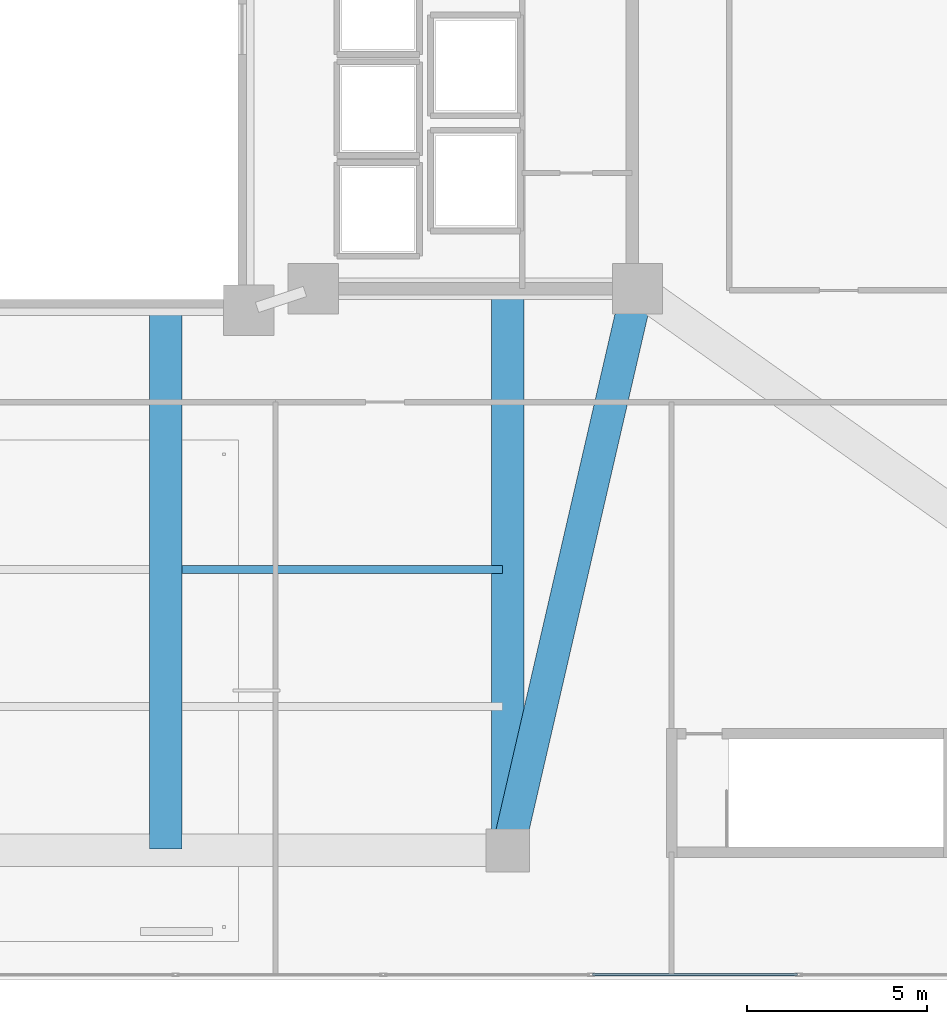
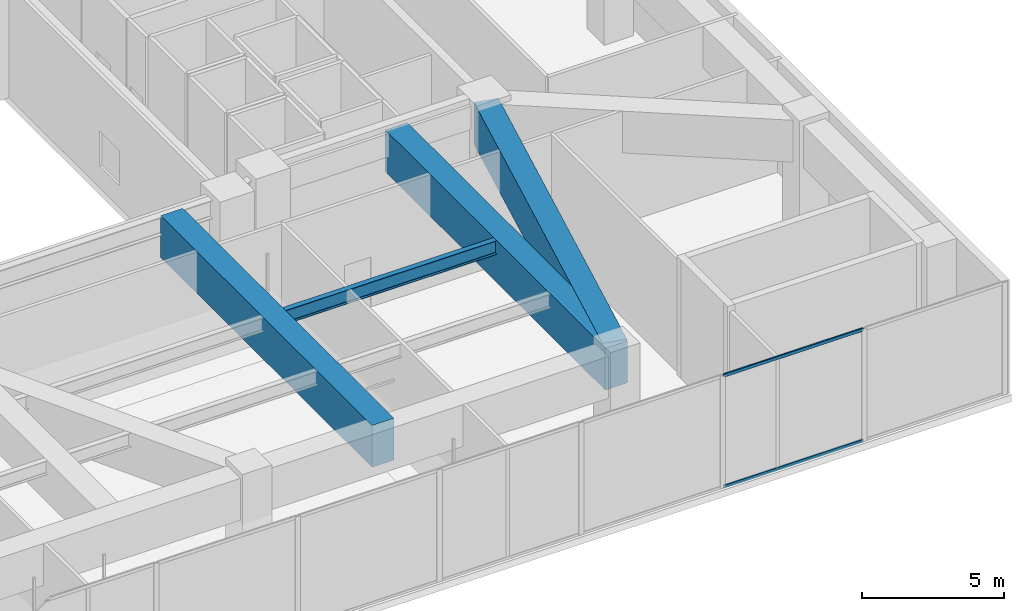
# One storey, part 7 of 21: 4 beams, 2 members, 1 element without a shape of its own.
"""IFC4 building model written with IfcOpenShell, lengths in metres."""

import ifcopenshell
import ifcopenshell.guid

model = None  # the IFC model being written
_history = None  # IfcOwnerHistory: only IFC2X3 demands one
_inside = {}  # id of a spatial element -> (the spatial element, [elements in it])
_under = {}  # id of a project, library or spatial element -> (it, [spatial elements below it])
_declared = {}  # id of a project -> (the project, [libraries it declares])
_typed = {}  # id of a type object -> (the type object, [elements of that type])
_made_of = {}  # id of a material, layer set ... -> (it, [elements and type objects made of it])


def new_model(schema):
    """Start an empty IFC model of exactly this schema.

    Asked for "IFC4X3", IfcOpenShell would pick the latest addendum, in which some entities
    have other attributes; the version numbers below select the first issue.
    IFC2X3 requires an IfcOwnerHistory on every rooted entity: one is made here for all.
    """
    global model, _history
    if schema == "IFC4X3":
        model = ifcopenshell.file(schema_version=(4, 3, 0, 0))
    else:
        model = ifcopenshell.file(schema=schema)
    _inside.clear()
    _under.clear()
    _declared.clear()
    _typed.clear()
    _made_of.clear()
    _history = None
    if model.schema == "IFC2X3":
        org = make("IfcOrganization", Name="unknown")
        user = make(
            "IfcPersonAndOrganization",
            ThePerson=make("IfcPerson", FamilyName="unknown"),
            TheOrganization=org,
        )
        app = make(
            "IfcApplication",
            ApplicationDeveloper=org,
            Version="unknown",
            ApplicationFullName="unknown",
            ApplicationIdentifier="unknown",
        )
        _history = make(
            "IfcOwnerHistory",
            OwningUser=user,
            OwningApplication=app,
            ChangeAction="ADDED",
            CreationDate=0,
        )
    return model


def make(cls, **values):
    """One entity of the class cls with the attributes given. An attribute that is None is left unset."""
    return model.create_entity(
        cls, **{name: value for name, value in values.items() if value is not None}
    )


def rooted(cls, **values):
    """An entity with a GlobalId (a new one), such as an element, a storey or a relation."""
    return make(cls, GlobalId=ifcopenshell.guid.new(), OwnerHistory=_history, **values)


def si_unit(unit_type, name, prefix=None):
    """IfcSIUnit, for example si_unit("LENGTHUNIT", "METRE", prefix="MILLI")."""
    return make("IfcSIUnit", UnitType=unit_type, Prefix=prefix, Name=name)


def assignment(units):
    """IfcUnitAssignment: the units of a project."""
    return None if units is None else make("IfcUnitAssignment", Units=units)


def point(xyz):
    """IfcCartesianPoint."""
    return None if xyz is None else make("IfcCartesianPoint", Coordinates=xyz)


def direction(xyz):
    """IfcDirection."""
    return None if xyz is None else make("IfcDirection", DirectionRatios=xyz)


def frame(location, z_axis=None, x_axis=None):
    """IfcAxis2Placement3D, a coordinate frame: its origin and axes. An axis left out is left unset."""
    return make(
        "IfcAxis2Placement3D",
        Location=point(location),
        Axis=direction(z_axis),
        RefDirection=direction(x_axis),
    )


def frame_2d(location, x_axis=None):
    """IfcAxis2Placement2D, a coordinate frame in the plane: its origin and x axis."""
    return make(
        "IfcAxis2Placement2D", Location=point(location), RefDirection=direction(x_axis)
    )


def origin():
    """The frame at (0, 0, 0) with its axes left unset."""
    return frame((0.0, 0.0, 0.0))


def origin_2d():
    """The frame at (0, 0) in the plane with its x axis left unset."""
    return frame_2d((0.0, 0.0))


def place(relative_to, where):
    """IfcLocalPlacement: puts the frame where relative to a parent placement (None: the world)."""
    return make(
        "IfcLocalPlacement", PlacementRelTo=relative_to, RelativePlacement=where
    )


def context(
    kind, dimensions, precision=None, world=None, true_north=None, identifier=None
):
    """IfcGeometricRepresentationContext, for example the 3D "Model" context."""
    return make(
        "IfcGeometricRepresentationContext",
        ContextIdentifier=identifier,
        ContextType=kind,
        CoordinateSpaceDimension=dimensions,
        Precision=precision,
        WorldCoordinateSystem=world,
        TrueNorth=true_north,
    )


def subcontext(parent, identifier, kind, view, scale=None):
    """IfcGeometricRepresentationSubContext, for example "Body" below "Model"."""
    return make(
        "IfcGeometricRepresentationSubContext",
        ContextIdentifier=identifier,
        ContextType=kind,
        ParentContext=parent,
        TargetScale=scale,
        TargetView=view,
    )


def project(units=None, contexts=None):
    """IfcProject with its units and contexts."""
    return rooted(
        "IfcProject",
        Name="project",
        RepresentationContexts=contexts,
        UnitsInContext=assignment(units),
    )


def spatial(cls, under=None, at=None, **own):
    """A site, building, storey or space (cls), placed at a placement, below another one or the project."""
    s = rooted(cls, ObjectPlacement=at, **own)
    if under is not None:
        _under.setdefault(under.id(), (under, []))[1].append(s)
    return s


def profile(cls, at=None, kind="AREA", **sizes):
    """A parametric profile (cls). Its sizes go by their IFC names, for example OverallWidth=200.0."""
    return make(cls, ProfileType=kind, Position=at, **sizes)


def rectangle(**sizes):
    """IfcRectangleProfileDef."""
    return profile("IfcRectangleProfileDef", **sizes)


def hollow_rectangle(**sizes):
    """IfcRectangleHollowProfileDef."""
    return profile("IfcRectangleHollowProfileDef", **sizes)


def i_section(**sizes):
    """IfcIShapeProfileDef."""
    return profile("IfcIShapeProfileDef", **sizes)


def extrude(swept, where, along, depth):
    """IfcExtrudedAreaSolid: the profile swept, set in the frame where, extruded along a direction by depth."""
    return make(
        "IfcExtrudedAreaSolid",
        SweptArea=swept,
        Position=where,
        ExtrudedDirection=direction(along),
        Depth=depth,
    )


def shape(context_of_items, identifier, shape_type, items):
    """IfcShapeRepresentation: the items that make up one representation, for example the "Body"."""
    return make(
        "IfcShapeRepresentation",
        ContextOfItems=context_of_items,
        RepresentationIdentifier=identifier,
        RepresentationType=shape_type,
        Items=items,
    )


def material(Name=None, Category=None):
    """IfcMaterial."""
    return make("IfcMaterial", Name=Name, Category=Category)


def layer(
    of_material, thickness, ventilated=None, Name=None, Category=None, Priority=None
):
    """IfcMaterialLayer: one layer of a wall or slab, of a material (None: an air gap)."""
    return make(
        "IfcMaterialLayer",
        Material=of_material,
        LayerThickness=thickness,
        IsVentilated=ventilated,
        Name=Name,
        Category=Category,
        Priority=Priority,
    )


def layer_set(layers, Name=None):
    """IfcMaterialLayerSet."""
    return make("IfcMaterialLayerSet", MaterialLayers=layers, LayerSetName=Name)


def material_profile(
    of_material, cross_section, Name=None, Category=None, Priority=None
):
    """IfcMaterialProfile: a cross section and its material."""
    return make(
        "IfcMaterialProfile",
        Name=Name,
        Material=of_material,
        Profile=cross_section,
        Priority=Priority,
        Category=Category,
    )


def profile_set(profiles, Name=None, composite=None):
    """IfcMaterialProfileSet."""
    return make(
        "IfcMaterialProfileSet",
        Name=Name,
        MaterialProfiles=profiles,
        CompositeProfile=composite,
    )


def made_of(thing, what):
    """Note that an element or type object is made of a material, layer set ...; save() writes the relation."""
    if what is not None:
        _made_of.setdefault(what.id(), (what, []))[1].append(thing)
    return thing


def type_object(cls, material=None, **own):
    """A type object (cls), such as IfcWallType, which elements share."""
    return made_of(rooted(cls, **own), material)


def element(
    cls,
    number,
    at=None,
    inside=None,
    cuts=None,
    type_object=None,
    material=None,
    context=None,
    identifier="Body",
    shape_type=None,
    held_by="IfcProductDefinitionShape",
    body=None,
    shapes=None,
    **own,
):
    """One element of the class cls, such as IfcWall. Its Tag is "e" and its number.

    at: its placement. inside: the storey or other place that contains it. cuts: it is an
    opening in that element (IfcRelVoidsElement). A single representation is given by context,
    identifier, shape_type and body (its items); several are given by shapes. held_by: the class
    of the entity that holds the representations. save() writes the other relations.
    """
    e = rooted(cls, Tag="e%d" % number, ObjectPlacement=at, **own)
    if body is not None:
        shapes = [shape(context, identifier, shape_type, body)]
    if shapes is not None:
        e.Representation = make(held_by, Representations=shapes)
    if inside is not None:
        _inside.setdefault(inside.id(), (inside, []))[1].append(e)
    if cuts is not None:
        rooted(
            "IfcRelVoidsElement", RelatingBuildingElement=cuts, RelatedOpeningElement=e
        )
    if type_object is not None:
        _typed.setdefault(type_object.id(), (type_object, []))[1].append(e)
    return made_of(e, material)


def aggregate(whole, parts):
    """IfcRelAggregates: a whole, such as a stair, and the parts it consists of."""
    return rooted("IfcRelAggregates", RelatingObject=whole, RelatedObjects=parts)


def save(model, path):
    """Write the relations noted so far, then the file.

    IfcRelAggregates (storeys below a building ...), IfcRelContainedInSpatialStructure (elements
    in a storey), IfcRelDefinesByType, IfcRelAssociatesMaterial and IfcRelDeclares: one each for
    every whole, place, type object, material and project.
    """
    for whole, parts in _under.values():
        aggregate(whole, parts)
    for where, things in _inside.values():
        rooted(
            "IfcRelContainedInSpatialStructure",
            RelatedElements=things,
            RelatingStructure=where,
        )
    for kind, things in _typed.values():
        rooted("IfcRelDefinesByType", RelatedObjects=things, RelatingType=kind)
    for what, things in _made_of.values():
        rooted("IfcRelAssociatesMaterial", RelatedObjects=things, RelatingMaterial=what)
    for by, libraries in _declared.values():
        rooted("IfcRelDeclares", RelatingContext=by, RelatedDefinitions=libraries)
    model.write(path)


model = new_model("IFC4")

# Units and contexts
model_context = context("Model", 3, precision=1e-05, world=origin(), true_north=direction((0.0, 1.0)))
body_context = subcontext(model_context, "Body", "Model", "MODEL_VIEW")
ifc_project = project(units=[si_unit("LENGTHUNIT", "METRE"), si_unit("AREAUNIT", "SQUARE_METRE"), si_unit("VOLUMEUNIT", "CUBIC_METRE"), si_unit("PLANEANGLEUNIT", "RADIAN"), si_unit("MASSUNIT", "GRAM", prefix="KILO")], contexts=[model_context])

# Site, building, storey
site_placement = place(None, origin())
site = spatial("IfcSite", under=ifc_project, at=site_placement, CompositionType="ELEMENT")
building_placement = place(site_placement, origin())
building = spatial("IfcBuilding", under=site, at=building_placement, Name="Tarnavaz Court Tower", CompositionType="ELEMENT")
storey_placement = place(building_placement, frame((0.0, 0.0, 18.89990234375)))
storey = spatial("IfcBuildingStorey", under=building, at=storey_placement, Name="L04", CompositionType="ELEMENT", Elevation=18.89990234375)

# Beams
ifc_material_1 = material(Name="Steel S355", Category="steel")
ifc_material_profile_1 = material_profile(ifc_material_1, i_section(OverallWidth=0.219970703125, OverallDepth=0.60009765625, WebThickness=0.011962890625, FlangeThickness=0.01904296875, FilletRadius=0.02392578125, at=origin_2d()), Name="IPE 600")
ifc_profile_set_1 = profile_set([ifc_material_profile_1], Name="Steel S355")
beam_type_1 = type_object("IfcBeamType", Name="BM-J-IPE600", PredefinedType="JOIST", material=ifc_profile_set_1)
beam_1_placement = place(storey_placement, frame((5.949951171875, -15.0, 4.550048828125), z_axis=(1.0, 0.0, 0.0), x_axis=(0.0, 1.0, 0.0)))
element("IfcBeam", 1, at=beam_1_placement, inside=storey, type_object=beam_type_1, Name="L04 Beam PJS-1-3", PredefinedType="JOIST", context=body_context, shape_type="SweptSolid", body=[
    extrude(i_section(OverallWidth=0.219970703125, OverallDepth=0.60009765625, WebThickness=0.011962890625, FlangeThickness=0.01904296875, FilletRadius=0.02392578125, at=origin_2d()), origin(), (0.0, 0.0, 1.0), 8.900146484375),
])
ifc_material_2 = material(Name="Concrete C50/60", Category="concrete")
ifc_material_profile_2 = material_profile(ifc_material_2, rectangle(XDim=0.89990234375, YDim=1.800048828125, at=origin_2d()), Name="RC 900X1800")
ifc_profile_set_2 = profile_set([ifc_material_profile_2], Name="Concrete C50/60")
beam_type_2 = type_object("IfcBeamType", Name="BM-TG1800", PredefinedType="USERDEFINED", material=ifc_profile_set_2)
beam_2_placement = place(storey_placement, frame((18.543701171875, -7.443603515625, 3.9501953125), z_axis=(-0.224858357084, -0.97439146099, 0.0), x_axis=(0.97439146099, -0.224858357084, 0.0)))
element("IfcBeam", 2, at=beam_2_placement, inside=storey, type_object=beam_type_2, Name="L04 Beam PM-CE-SO-PM-S3", ObjectType="GIRDER", PredefinedType="USERDEFINED", context=body_context, shape_type="SweptSolid", body=[
    extrude(rectangle(XDim=0.89990234375, YDim=1.800048828125, at=origin_2d()), origin(), (0.0, 0.0, 1.0), 15.510009765625),
])
beam_3_placement = place(storey_placement, frame((5.5, -7.840087890625, 3.9501953125), z_axis=(0.0, -1.0, 0.0), x_axis=(1.0, 0.0, 0.0)))
element("IfcBeam", 3, at=beam_3_placement, inside=storey, type_object=beam_type_2, Name="L04 Beam PM-NS-SCE", ObjectType="GIRDER", PredefinedType="USERDEFINED", context=body_context, shape_type="SweptSolid", body=[
    extrude(rectangle(XDim=0.89990234375, YDim=1.800048828125, at=origin_2d()), origin(), (0.0, 0.0, 1.0), 14.919921875),
])
beam_4_placement = place(storey_placement, frame((15.0, -7.239990234375, 3.9501953125), z_axis=(0.0, -1.0, 0.0), x_axis=(1.0, 0.0, 0.0)))
element("IfcBeam", 4, at=beam_4_placement, inside=storey, type_object=beam_type_2, Name="L04 Beam PM-NS-SE", ObjectType="GIRDER", PredefinedType="USERDEFINED", context=body_context, shape_type="SweptSolid", body=[
    extrude(rectangle(XDim=0.89990234375, YDim=1.800048828125, at=origin_2d()), origin(), (0.0, 0.0, 1.0), 15.52001953125),
])

# Curtain wall, members
ifc_material_3 = material(Name="Anodised Aluminium 6063-T6 and Solar Low-E Glazing", Category="aluminium")
ifc_layer = layer(ifc_material_3, 0.18994140625)
ifc_layer_set = layer_set([ifc_layer], Name="Anodised Aluminium 6063-T6 and Solar Low-E Glazing")
curtain_wall_type = type_object("IfcCurtainWallType", Name="CW-SYS-01", PredefinedType="NOTDEFINED", material=ifc_layer_set)
curtain_wall_placement = place(storey_placement, origin())
curtain_wall = element("IfcCurtainWall", 5, at=curtain_wall_placement, inside=storey, type_object=curtain_wall_type, Name="L04 Clinic South Curtain Wall 3", PredefinedType="NOTDEFINED")
ifc_material_4 = material(Name="Anodised Aluminium 6063-T6", Category="aluminium")
ifc_material_profile_3 = material_profile(ifc_material_4, hollow_rectangle(XDim=0.06494140625, YDim=0.139892578125, WallThickness=0.00390625, InnerFilletRadius=0.00390625, OuterFilletRadius=0.008056640625, at=origin_2d()), Name="ALU RHS 140X65X4")
ifc_profile_set_3 = profile_set([ifc_material_profile_3], Name="Anodised Aluminium 6063-T6")
member_type = type_object("IfcMemberType", Name="CW-TRN-140", PredefinedType="USERDEFINED", material=ifc_profile_set_3)
member_1_placement = place(storey_placement, frame((23.03759765625, -26.25, 0.03271484375), z_axis=(-1.0, 0.0, 0.0), x_axis=(0.0, -1.0, 0.0)))
member_1 = element("IfcMember", 6, at=member_1_placement, type_object=member_type, Name="CW transom 2.1", ObjectType="TRANSOM", PredefinedType="USERDEFINED", context=body_context, shape_type="SweptSolid", body=[
    extrude(hollow_rectangle(XDim=0.06494140625, YDim=0.139892578125, WallThickness=0.00390625, InnerFilletRadius=0.00390625, OuterFilletRadius=0.008056640625, at=origin_2d()), origin(), (0.0, 0.0, 1.0), 5.68505859375),
])
member_2_placement = place(storey_placement, frame((23.03759765625, -26.25, 4.817626953125), z_axis=(-1.0, 0.0, 0.0), x_axis=(0.0, -1.0, 0.0)))
member_2 = element("IfcMember", 7, at=member_2_placement, type_object=member_type, Name="CW transom 2.2", ObjectType="TRANSOM", PredefinedType="USERDEFINED", context=body_context, shape_type="SweptSolid", body=[
    extrude(hollow_rectangle(XDim=0.06494140625, YDim=0.139892578125, WallThickness=0.00390625, InnerFilletRadius=0.00390625, OuterFilletRadius=0.008056640625, at=origin_2d()), origin(), (0.0, 0.0, 1.0), 5.68505859375),
])
aggregate(curtain_wall, [member_1, member_2])

save(model, "model.ifc")
